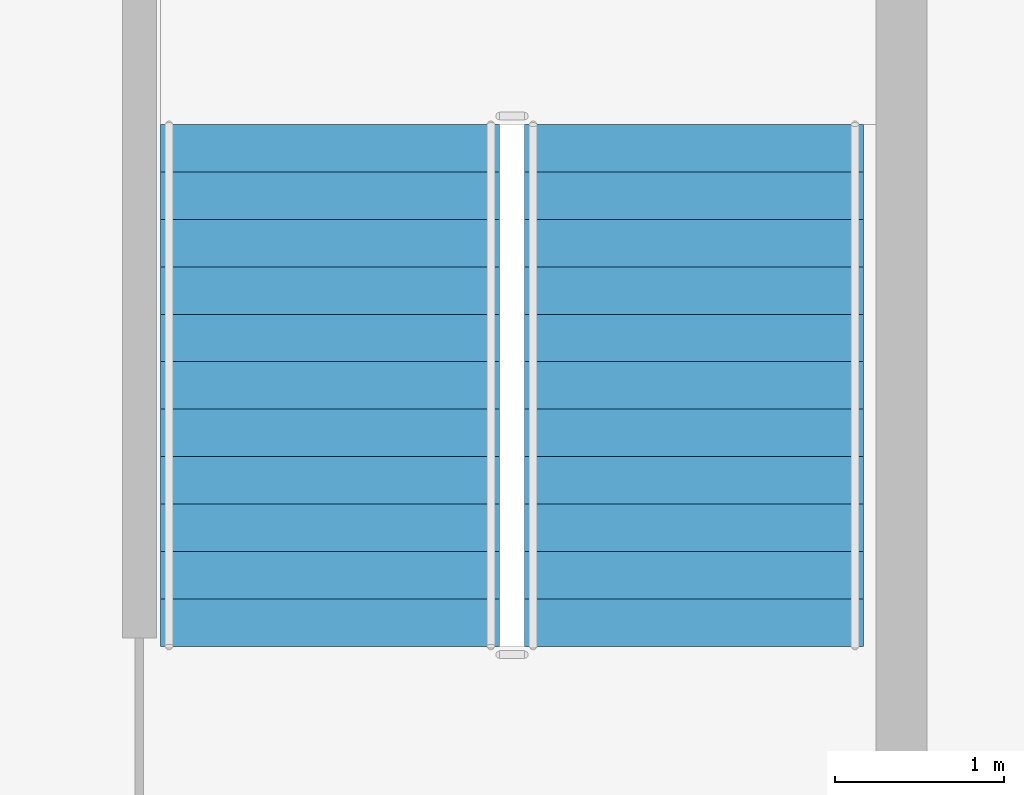
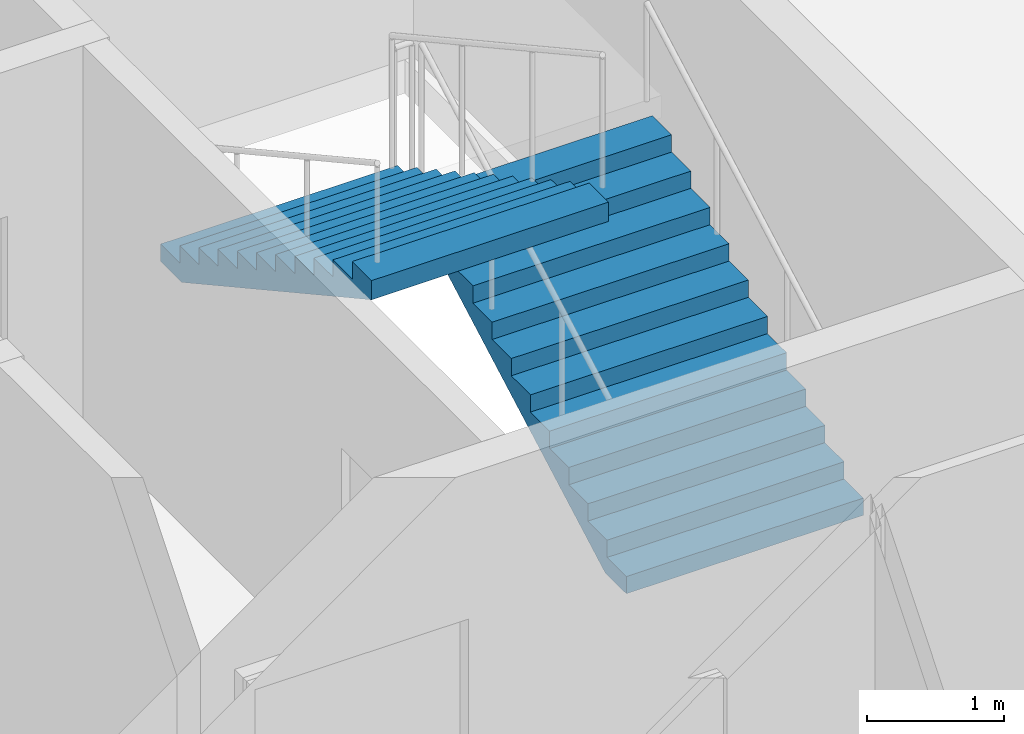
# One storey, part 8 of 13: 2 stair flights, 1 element without a shape of its own.
"""IFC4 building model written with IfcOpenShell, lengths in metres."""

from ifc_helpers import new_model, si_unit, direction, frame, origin, place, context, subcontext, project, spatial, polygons, material, type_object, element, aggregate, save


model = new_model("IFC4")

# Units and contexts
model_context = context("Model", 3, precision=1e-05, world=origin(), true_north=direction((0.0, 1.0)))
body_context = subcontext(model_context, "Body", "Model", "MODEL_VIEW")
ifc_project = project(units=[si_unit("LENGTHUNIT", "METRE"), si_unit("AREAUNIT", "SQUARE_METRE"), si_unit("VOLUMEUNIT", "CUBIC_METRE"), si_unit("PLANEANGLEUNIT", "RADIAN"), si_unit("MASSUNIT", "GRAM", prefix="KILO")], contexts=[model_context])

# Site, building, storey
site_placement = place(None, origin())
site = spatial("IfcSite", under=ifc_project, at=site_placement, CompositionType="ELEMENT")
building_placement = place(site_placement, origin())
building = spatial("IfcBuilding", under=site, at=building_placement, Name="Caravel Reach Hotel and Residences", CompositionType="ELEMENT")
storey_placement = place(building_placement, frame((0.0, 0.0, 267.5)))
storey = spatial("IfcBuildingStorey", under=building, at=storey_placement, Name="L68", CompositionType="ELEMENT", Elevation=267.5)

# Stair, stair flights
ifc_material_1 = material(Name="Concrete C40", Category="concrete")
stair_type = type_object("IfcStairType", Name="Core stair", PredefinedType="HALF_TURN_STAIR", material=ifc_material_1)
stair_placement = place(storey_placement, origin())
stair = element("IfcStair", 1, at=stair_placement, inside=storey, type_object=stair_type, Name="L68 Exit stair B", PredefinedType="HALF_TURN_STAIR")
ifc_material_2 = material(Name="Concrete C40", Category="concrete")
stair_flight_type = type_object("IfcStairFlightType", Name="Core stair flight", PredefinedType="STRAIGHT", material=ifc_material_2)
stair_flight_1_placement = place(storey_placement, frame((43.77490234375, 24.64990234375, 0.0), z_axis=(0.0, 0.0, 1.0), x_axis=(0.0, 1.0, 0.0)))
stair_flight_1 = element("IfcStairFlight", 2, at=stair_flight_1_placement, type_object=stair_flight_type, Name="ST-B flight 1", NumberOfRisers=12, NumberOfTreads=11, PredefinedType="STRAIGHT", RiserHeight=0.154166667, TreadLength=0.28, context=body_context, shape_type="Tessellation", body=[
    polygons([(0.3107950034306102, 1.0, 0.0), (0.3107950034306102, 0.6666666666666667, 0.0), (0.3107950034306102, 0.33333333333333337, 0.0), (0.3107950034306102, 0.0, 0.0), (0.3107950034306102, -0.33333333333333326, 0.0), (0.3107950034306102, -0.6666666666666667, 0.0), (0.3107950034306102, -1.0, 0.0), (3.081, 1.0, 1.524711087717319), (3.081, 0.6666666666666667, 1.524711087717319), (3.081, 0.33333333333333337, 1.524711087717319), (3.081, 0.0, 1.524711087717319), (3.081, -0.33333333333333326, 1.524711087717319), (3.081, -0.6666666666666667, 1.524711087717319), (3.081, -1.0, 1.524711087717319), (3.081, 1.0, 1.695833337), (3.081, 0.6666666666666667, 1.695833337), (3.081, 0.33333333333333337, 1.695833337), (3.081, 0.0, 1.695833337), (3.081, -0.33333333333333326, 1.695833337), (3.081, -0.6666666666666667, 1.695833337), (3.081, -1.0, 1.695833337), (2.8000000000000003, 1.0, 1.695833337), (2.8000000000000003, 0.6666666666666667, 1.695833337), (2.8000000000000003, 0.33333333333333337, 1.695833337), (2.8000000000000003, 0.0, 1.695833337), (2.8000000000000003, -0.33333333333333326, 1.695833337), (2.8000000000000003, -0.6666666666666667, 1.695833337), (2.8000000000000003, -1.0, 1.695833337), (2.8000000000000003, 1.0, 1.5416666700000001), (2.8000000000000003, 0.6666666666666667, 1.5416666700000001), (2.8000000000000003, 0.33333333333333337, 1.5416666700000001), (2.8000000000000003, 0.0, 1.5416666700000001), (2.8000000000000003, -0.33333333333333326, 1.5416666700000001), (2.8000000000000003, -0.6666666666666667, 1.5416666700000001), (2.8000000000000003, -1.0, 1.5416666700000001), (2.5200000000000005, 1.0, 1.5416666700000001), (2.5200000000000005, 0.6666666666666667, 1.5416666700000001), (2.5200000000000005, 0.33333333333333337, 1.5416666700000001), (2.5200000000000005, 0.0, 1.5416666700000001), (2.5200000000000005, -0.33333333333333326, 1.5416666700000001), (2.5200000000000005, -0.6666666666666667, 1.5416666700000001), (2.5200000000000005, -1.0, 1.5416666700000001), (2.5200000000000005, 1.0, 1.387500003), (2.5200000000000005, 0.6666666666666667, 1.387500003), (2.5200000000000005, 0.33333333333333337, 1.387500003), (2.5200000000000005, 0.0, 1.387500003), (2.5200000000000005, -0.33333333333333326, 1.387500003), (2.5200000000000005, -0.6666666666666667, 1.387500003), (2.5200000000000005, -1.0, 1.387500003), (2.24, 1.0, 1.387500003), (2.24, 0.6666666666666667, 1.387500003), (2.24, 0.33333333333333337, 1.387500003), (2.24, 0.0, 1.387500003), (2.24, -0.33333333333333326, 1.387500003), (2.24, -0.6666666666666667, 1.387500003), (2.24, -1.0, 1.387500003), (2.24, 1.0, 1.233333336), (2.24, 0.6666666666666667, 1.233333336), (2.24, 0.33333333333333337, 1.233333336), (2.24, 0.0, 1.233333336), (2.24, -0.33333333333333326, 1.233333336), (2.24, -0.6666666666666667, 1.233333336), (2.24, -1.0, 1.233333336), (1.9600000000000002, 1.0, 1.233333336), (1.9600000000000002, 0.6666666666666667, 1.233333336), (1.9600000000000002, 0.33333333333333337, 1.233333336), (1.9600000000000002, 0.0, 1.233333336), (1.9600000000000002, -0.33333333333333326, 1.233333336), (1.9600000000000002, -0.6666666666666667, 1.233333336), (1.9600000000000002, -1.0, 1.233333336), (1.9600000000000002, 1.0, 1.0791666690000001), (1.9600000000000002, 0.6666666666666667, 1.0791666690000001), (1.9600000000000002, 0.33333333333333337, 1.0791666690000001), (1.9600000000000002, 0.0, 1.0791666690000001), (1.9600000000000002, -0.33333333333333326, 1.0791666690000001), (1.9600000000000002, -0.6666666666666667, 1.0791666690000001), (1.9600000000000002, -1.0, 1.0791666690000001), (1.6800000000000002, 1.0, 1.0791666690000001), (1.6800000000000002, 0.6666666666666667, 1.0791666690000001), (1.6800000000000002, 0.33333333333333337, 1.0791666690000001), (1.6800000000000002, 0.0, 1.0791666690000001), (1.6800000000000002, -0.33333333333333326, 1.0791666690000001), (1.6800000000000002, -0.6666666666666667, 1.0791666690000001), (1.6800000000000002, -1.0, 1.0791666690000001), (1.6800000000000002, 1.0, 0.925000002), (1.6800000000000002, 0.6666666666666667, 0.925000002), (1.6800000000000002, 0.33333333333333337, 0.925000002), (1.6800000000000002, 0.0, 0.925000002), (1.6800000000000002, -0.33333333333333326, 0.925000002), (1.6800000000000002, -0.6666666666666667, 0.925000002), (1.6800000000000002, -1.0, 0.925000002), (1.4000000000000001, 1.0, 0.925000002), (1.4000000000000001, 0.6666666666666667, 0.925000002), (1.4000000000000001, 0.33333333333333337, 0.925000002), (1.4000000000000001, 0.0, 0.925000002), (1.4000000000000001, -0.33333333333333326, 0.925000002), (1.4000000000000001, -0.6666666666666667, 0.925000002), (1.4000000000000001, -1.0, 0.925000002), (1.4000000000000001, 1.0, 0.7708333350000001), (1.4000000000000001, 0.6666666666666667, 0.7708333350000001), (1.4000000000000001, 0.33333333333333337, 0.7708333350000001), (1.4000000000000001, 0.0, 0.7708333350000001), (1.4000000000000001, -0.33333333333333326, 0.7708333350000001), (1.4000000000000001, -0.6666666666666667, 0.7708333350000001), (1.4000000000000001, -1.0, 0.7708333350000001), (1.12, 1.0, 0.7708333350000001), (1.12, 0.6666666666666667, 0.7708333350000001), (1.12, 0.33333333333333337, 0.7708333350000001), (1.12, 0.0, 0.7708333350000001), (1.12, -0.33333333333333326, 0.7708333350000001), (1.12, -0.6666666666666667, 0.7708333350000001), (1.12, -1.0, 0.7708333350000001), (1.12, 1.0, 0.616666668), (1.12, 0.6666666666666667, 0.616666668), (1.12, 0.33333333333333337, 0.616666668), (1.12, 0.0, 0.616666668), (1.12, -0.33333333333333326, 0.616666668), (1.12, -0.6666666666666667, 0.616666668), (1.12, -1.0, 0.616666668), (0.8400000000000001, 1.0, 0.616666668), (0.8400000000000001, 0.6666666666666667, 0.616666668), (0.8400000000000001, 0.33333333333333337, 0.616666668), (0.8400000000000001, 0.0, 0.616666668), (0.8400000000000001, -0.33333333333333326, 0.616666668), (0.8400000000000001, -0.6666666666666667, 0.616666668), (0.8400000000000001, -1.0, 0.616666668), (0.8400000000000001, 1.0, 0.462500001), (0.8400000000000001, 0.6666666666666667, 0.462500001), (0.8400000000000001, 0.33333333333333337, 0.462500001), (0.8400000000000001, 0.0, 0.462500001), (0.8400000000000001, -0.33333333333333326, 0.462500001), (0.8400000000000001, -0.6666666666666667, 0.462500001), (0.8400000000000001, -1.0, 0.462500001), (0.56, 1.0, 0.462500001), (0.56, 0.6666666666666667, 0.462500001), (0.56, 0.33333333333333337, 0.462500001), (0.56, 0.0, 0.462500001), (0.56, -0.33333333333333326, 0.462500001), (0.56, -0.6666666666666667, 0.462500001), (0.56, -1.0, 0.462500001), (0.56, 1.0, 0.308333334), (0.56, 0.6666666666666667, 0.308333334), (0.56, 0.33333333333333337, 0.308333334), (0.56, 0.0, 0.308333334), (0.56, -0.33333333333333326, 0.308333334), (0.56, -0.6666666666666667, 0.308333334), (0.56, -1.0, 0.308333334), (0.28, 1.0, 0.308333334), (0.28, 0.6666666666666667, 0.308333334), (0.28, 0.33333333333333337, 0.308333334), (0.28, 0.0, 0.308333334), (0.28, -0.33333333333333326, 0.308333334), (0.28, -0.6666666666666667, 0.308333334), (0.28, -1.0, 0.308333334), (0.28, 1.0, 0.154166667), (0.28, 0.6666666666666667, 0.154166667), (0.28, 0.33333333333333337, 0.154166667), (0.28, 0.0, 0.154166667), (0.28, -0.33333333333333326, 0.154166667), (0.28, -0.6666666666666667, 0.154166667), (0.28, -1.0, 0.154166667), (-0.001, 1.0, 0.154166667), (-0.001, 0.6666666666666667, 0.154166667), (-0.001, 0.33333333333333337, 0.154166667), (-0.001, 0.0, 0.154166667), (-0.001, -0.33333333333333326, 0.154166667), (-0.001, -0.6666666666666667, 0.154166667), (-0.001, -1.0, 0.154166667), (-0.001, 1.0, 0.0), (-0.001, 0.6666666666666667, 0.0), (-0.001, 0.33333333333333337, 0.0), (-0.001, 0.0, 0.0), (-0.001, -0.33333333333333326, 0.0), (-0.001, -0.6666666666666667, 0.0), (-0.001, -1.0, 0.0)], [[[169, 162, 155, 148, 141, 134, 127, 120, 113, 106, 99, 92, 85, 78, 71, 64, 57, 50, 43, 36, 29, 22, 15, 8, 1]], [[7, 14, 21, 28, 35, 42, 49, 56, 63, 70, 77, 84, 91, 98, 105, 112, 119, 126, 133, 140, 147, 154, 161, 168, 175]], [[1, 8, 9, 2]], [[2, 9, 10, 3]], [[3, 10, 11, 4]], [[4, 11, 12, 5]], [[5, 12, 13, 6]], [[6, 13, 14, 7]], [[8, 15, 16, 9]], [[9, 16, 17, 10]], [[10, 17, 18, 11]], [[11, 18, 19, 12]], [[12, 19, 20, 13]], [[13, 20, 21, 14]], [[15, 22, 23, 16]], [[16, 23, 24, 17]], [[17, 24, 25, 18]], [[18, 25, 26, 19]], [[19, 26, 27, 20]], [[20, 27, 28, 21]], [[22, 29, 30, 23]], [[23, 30, 31, 24]], [[24, 31, 32, 25]], [[25, 32, 33, 26]], [[26, 33, 34, 27]], [[27, 34, 35, 28]], [[29, 36, 37, 30]], [[30, 37, 38, 31]], [[31, 38, 39, 32]], [[32, 39, 40, 33]], [[33, 40, 41, 34]], [[34, 41, 42, 35]], [[36, 43, 44, 37]], [[37, 44, 45, 38]], [[38, 45, 46, 39]], [[39, 46, 47, 40]], [[40, 47, 48, 41]], [[41, 48, 49, 42]], [[43, 50, 51, 44]], [[44, 51, 52, 45]], [[45, 52, 53, 46]], [[46, 53, 54, 47]], [[47, 54, 55, 48]], [[48, 55, 56, 49]], [[50, 57, 58, 51]], [[51, 58, 59, 52]], [[52, 59, 60, 53]], [[53, 60, 61, 54]], [[54, 61, 62, 55]], [[55, 62, 63, 56]], [[57, 64, 65, 58]], [[58, 65, 66, 59]], [[59, 66, 67, 60]], [[60, 67, 68, 61]], [[61, 68, 69, 62]], [[62, 69, 70, 63]], [[64, 71, 72, 65]], [[65, 72, 73, 66]], [[66, 73, 74, 67]], [[67, 74, 75, 68]], [[68, 75, 76, 69]], [[69, 76, 77, 70]], [[71, 78, 79, 72]], [[72, 79, 80, 73]], [[73, 80, 81, 74]], [[74, 81, 82, 75]], [[75, 82, 83, 76]], [[76, 83, 84, 77]], [[78, 85, 86, 79]], [[79, 86, 87, 80]], [[80, 87, 88, 81]], [[81, 88, 89, 82]], [[82, 89, 90, 83]], [[83, 90, 91, 84]], [[85, 92, 93, 86]], [[86, 93, 94, 87]], [[87, 94, 95, 88]], [[88, 95, 96, 89]], [[89, 96, 97, 90]], [[90, 97, 98, 91]], [[92, 99, 100, 93]], [[93, 100, 101, 94]], [[94, 101, 102, 95]], [[95, 102, 103, 96]], [[96, 103, 104, 97]], [[97, 104, 105, 98]], [[99, 106, 107, 100]], [[100, 107, 108, 101]], [[101, 108, 109, 102]], [[102, 109, 110, 103]], [[103, 110, 111, 104]], [[104, 111, 112, 105]], [[106, 113, 114, 107]], [[107, 114, 115, 108]], [[108, 115, 116, 109]], [[109, 116, 117, 110]], [[110, 117, 118, 111]], [[111, 118, 119, 112]], [[113, 120, 121, 114]], [[114, 121, 122, 115]], [[115, 122, 123, 116]], [[116, 123, 124, 117]], [[117, 124, 125, 118]], [[118, 125, 126, 119]], [[120, 127, 128, 121]], [[121, 128, 129, 122]], [[122, 129, 130, 123]], [[123, 130, 131, 124]], [[124, 131, 132, 125]], [[125, 132, 133, 126]], [[127, 134, 135, 128]], [[128, 135, 136, 129]], [[129, 136, 137, 130]], [[130, 137, 138, 131]], [[131, 138, 139, 132]], [[132, 139, 140, 133]], [[134, 141, 142, 135]], [[135, 142, 143, 136]], [[136, 143, 144, 137]], [[137, 144, 145, 138]], [[138, 145, 146, 139]], [[139, 146, 147, 140]], [[141, 148, 149, 142]], [[142, 149, 150, 143]], [[143, 150, 151, 144]], [[144, 151, 152, 145]], [[145, 152, 153, 146]], [[146, 153, 154, 147]], [[148, 155, 156, 149]], [[149, 156, 157, 150]], [[150, 157, 158, 151]], [[151, 158, 159, 152]], [[152, 159, 160, 153]], [[153, 160, 161, 154]], [[155, 162, 163, 156]], [[156, 163, 164, 157]], [[157, 164, 165, 158]], [[158, 165, 166, 159]], [[159, 166, 167, 160]], [[160, 167, 168, 161]], [[162, 169, 170, 163]], [[163, 170, 171, 164]], [[164, 171, 172, 165]], [[165, 172, 173, 166]], [[166, 173, 174, 167]], [[167, 174, 175, 168]], [[169, 1, 2, 170]], [[170, 2, 3, 171]], [[171, 3, 4, 172]], [[172, 4, 5, 173]], [[173, 5, 6, 174]], [[174, 6, 7, 175]]], closed=True),
])
stair_flight_2_placement = place(storey_placement, frame((41.625, 27.72998046875, 1.85009765625), z_axis=(0.0, 0.0, 1.0), x_axis=(0.0, -1.0, 0.0)))
stair_flight_2 = element("IfcStairFlight", 3, at=stair_flight_2_placement, type_object=stair_flight_type, Name="ST-B flight 2", NumberOfRisers=12, NumberOfTreads=11, PredefinedType="STRAIGHT", RiserHeight=0.154166667, TreadLength=0.28, context=body_context, shape_type="Tessellation", body=[
    polygons([(0.3107950034306102, 1.0, 0.0), (0.3107950034306102, 0.6666666666666667, 0.0), (0.3107950034306102, 0.33333333333333337, 0.0), (0.3107950034306102, 0.0, 0.0), (0.3107950034306102, -0.33333333333333326, 0.0), (0.3107950034306102, -0.6666666666666667, 0.0), (0.3107950034306102, -1.0, 0.0), (3.081, 1.0, 1.524711087717319), (3.081, 0.6666666666666667, 1.524711087717319), (3.081, 0.33333333333333337, 1.524711087717319), (3.081, 0.0, 1.524711087717319), (3.081, -0.33333333333333326, 1.524711087717319), (3.081, -0.6666666666666667, 1.524711087717319), (3.081, -1.0, 1.524711087717319), (3.081, 1.0, 1.695833337), (3.081, 0.6666666666666667, 1.695833337), (3.081, 0.33333333333333337, 1.695833337), (3.081, 0.0, 1.695833337), (3.081, -0.33333333333333326, 1.695833337), (3.081, -0.6666666666666667, 1.695833337), (3.081, -1.0, 1.695833337), (2.8000000000000003, 1.0, 1.695833337), (2.8000000000000003, 0.6666666666666667, 1.695833337), (2.8000000000000003, 0.33333333333333337, 1.695833337), (2.8000000000000003, 0.0, 1.695833337), (2.8000000000000003, -0.33333333333333326, 1.695833337), (2.8000000000000003, -0.6666666666666667, 1.695833337), (2.8000000000000003, -1.0, 1.695833337), (2.8000000000000003, 1.0, 1.5416666700000001), (2.8000000000000003, 0.6666666666666667, 1.5416666700000001), (2.8000000000000003, 0.33333333333333337, 1.5416666700000001), (2.8000000000000003, 0.0, 1.5416666700000001), (2.8000000000000003, -0.33333333333333326, 1.5416666700000001), (2.8000000000000003, -0.6666666666666667, 1.5416666700000001), (2.8000000000000003, -1.0, 1.5416666700000001), (2.5200000000000005, 1.0, 1.5416666700000001), (2.5200000000000005, 0.6666666666666667, 1.5416666700000001), (2.5200000000000005, 0.33333333333333337, 1.5416666700000001), (2.5200000000000005, 0.0, 1.5416666700000001), (2.5200000000000005, -0.33333333333333326, 1.5416666700000001), (2.5200000000000005, -0.6666666666666667, 1.5416666700000001), (2.5200000000000005, -1.0, 1.5416666700000001), (2.5200000000000005, 1.0, 1.387500003), (2.5200000000000005, 0.6666666666666667, 1.387500003), (2.5200000000000005, 0.33333333333333337, 1.387500003), (2.5200000000000005, 0.0, 1.387500003), (2.5200000000000005, -0.33333333333333326, 1.387500003), (2.5200000000000005, -0.6666666666666667, 1.387500003), (2.5200000000000005, -1.0, 1.387500003), (2.24, 1.0, 1.387500003), (2.24, 0.6666666666666667, 1.387500003), (2.24, 0.33333333333333337, 1.387500003), (2.24, 0.0, 1.387500003), (2.24, -0.33333333333333326, 1.387500003), (2.24, -0.6666666666666667, 1.387500003), (2.24, -1.0, 1.387500003), (2.24, 1.0, 1.233333336), (2.24, 0.6666666666666667, 1.233333336), (2.24, 0.33333333333333337, 1.233333336), (2.24, 0.0, 1.233333336), (2.24, -0.33333333333333326, 1.233333336), (2.24, -0.6666666666666667, 1.233333336), (2.24, -1.0, 1.233333336), (1.9600000000000002, 1.0, 1.233333336), (1.9600000000000002, 0.6666666666666667, 1.233333336), (1.9600000000000002, 0.33333333333333337, 1.233333336), (1.9600000000000002, 0.0, 1.233333336), (1.9600000000000002, -0.33333333333333326, 1.233333336), (1.9600000000000002, -0.6666666666666667, 1.233333336), (1.9600000000000002, -1.0, 1.233333336), (1.9600000000000002, 1.0, 1.0791666690000001), (1.9600000000000002, 0.6666666666666667, 1.0791666690000001), (1.9600000000000002, 0.33333333333333337, 1.0791666690000001), (1.9600000000000002, 0.0, 1.0791666690000001), (1.9600000000000002, -0.33333333333333326, 1.0791666690000001), (1.9600000000000002, -0.6666666666666667, 1.0791666690000001), (1.9600000000000002, -1.0, 1.0791666690000001), (1.6800000000000002, 1.0, 1.0791666690000001), (1.6800000000000002, 0.6666666666666667, 1.0791666690000001), (1.6800000000000002, 0.33333333333333337, 1.0791666690000001), (1.6800000000000002, 0.0, 1.0791666690000001), (1.6800000000000002, -0.33333333333333326, 1.0791666690000001), (1.6800000000000002, -0.6666666666666667, 1.0791666690000001), (1.6800000000000002, -1.0, 1.0791666690000001), (1.6800000000000002, 1.0, 0.925000002), (1.6800000000000002, 0.6666666666666667, 0.925000002), (1.6800000000000002, 0.33333333333333337, 0.925000002), (1.6800000000000002, 0.0, 0.925000002), (1.6800000000000002, -0.33333333333333326, 0.925000002), (1.6800000000000002, -0.6666666666666667, 0.925000002), (1.6800000000000002, -1.0, 0.925000002), (1.4000000000000001, 1.0, 0.925000002), (1.4000000000000001, 0.6666666666666667, 0.925000002), (1.4000000000000001, 0.33333333333333337, 0.925000002), (1.4000000000000001, 0.0, 0.925000002), (1.4000000000000001, -0.33333333333333326, 0.925000002), (1.4000000000000001, -0.6666666666666667, 0.925000002), (1.4000000000000001, -1.0, 0.925000002), (1.4000000000000001, 1.0, 0.7708333350000001), (1.4000000000000001, 0.6666666666666667, 0.7708333350000001), (1.4000000000000001, 0.33333333333333337, 0.7708333350000001), (1.4000000000000001, 0.0, 0.7708333350000001), (1.4000000000000001, -0.33333333333333326, 0.7708333350000001), (1.4000000000000001, -0.6666666666666667, 0.7708333350000001), (1.4000000000000001, -1.0, 0.7708333350000001), (1.12, 1.0, 0.7708333350000001), (1.12, 0.6666666666666667, 0.7708333350000001), (1.12, 0.33333333333333337, 0.7708333350000001), (1.12, 0.0, 0.7708333350000001), (1.12, -0.33333333333333326, 0.7708333350000001), (1.12, -0.6666666666666667, 0.7708333350000001), (1.12, -1.0, 0.7708333350000001), (1.12, 1.0, 0.616666668), (1.12, 0.6666666666666667, 0.616666668), (1.12, 0.33333333333333337, 0.616666668), (1.12, 0.0, 0.616666668), (1.12, -0.33333333333333326, 0.616666668), (1.12, -0.6666666666666667, 0.616666668), (1.12, -1.0, 0.616666668), (0.8400000000000001, 1.0, 0.616666668), (0.8400000000000001, 0.6666666666666667, 0.616666668), (0.8400000000000001, 0.33333333333333337, 0.616666668), (0.8400000000000001, 0.0, 0.616666668), (0.8400000000000001, -0.33333333333333326, 0.616666668), (0.8400000000000001, -0.6666666666666667, 0.616666668), (0.8400000000000001, -1.0, 0.616666668), (0.8400000000000001, 1.0, 0.462500001), (0.8400000000000001, 0.6666666666666667, 0.462500001), (0.8400000000000001, 0.33333333333333337, 0.462500001), (0.8400000000000001, 0.0, 0.462500001), (0.8400000000000001, -0.33333333333333326, 0.462500001), (0.8400000000000001, -0.6666666666666667, 0.462500001), (0.8400000000000001, -1.0, 0.462500001), (0.56, 1.0, 0.462500001), (0.56, 0.6666666666666667, 0.462500001), (0.56, 0.33333333333333337, 0.462500001), (0.56, 0.0, 0.462500001), (0.56, -0.33333333333333326, 0.462500001), (0.56, -0.6666666666666667, 0.462500001), (0.56, -1.0, 0.462500001), (0.56, 1.0, 0.308333334), (0.56, 0.6666666666666667, 0.308333334), (0.56, 0.33333333333333337, 0.308333334), (0.56, 0.0, 0.308333334), (0.56, -0.33333333333333326, 0.308333334), (0.56, -0.6666666666666667, 0.308333334), (0.56, -1.0, 0.308333334), (0.28, 1.0, 0.308333334), (0.28, 0.6666666666666667, 0.308333334), (0.28, 0.33333333333333337, 0.308333334), (0.28, 0.0, 0.308333334), (0.28, -0.33333333333333326, 0.308333334), (0.28, -0.6666666666666667, 0.308333334), (0.28, -1.0, 0.308333334), (0.28, 1.0, 0.154166667), (0.28, 0.6666666666666667, 0.154166667), (0.28, 0.33333333333333337, 0.154166667), (0.28, 0.0, 0.154166667), (0.28, -0.33333333333333326, 0.154166667), (0.28, -0.6666666666666667, 0.154166667), (0.28, -1.0, 0.154166667), (-0.001, 1.0, 0.154166667), (-0.001, 0.6666666666666667, 0.154166667), (-0.001, 0.33333333333333337, 0.154166667), (-0.001, 0.0, 0.154166667), (-0.001, -0.33333333333333326, 0.154166667), (-0.001, -0.6666666666666667, 0.154166667), (-0.001, -1.0, 0.154166667), (-0.001, 1.0, 0.0), (-0.001, 0.6666666666666667, 0.0), (-0.001, 0.33333333333333337, 0.0), (-0.001, 0.0, 0.0), (-0.001, -0.33333333333333326, 0.0), (-0.001, -0.6666666666666667, 0.0), (-0.001, -1.0, 0.0)], [[[169, 162, 155, 148, 141, 134, 127, 120, 113, 106, 99, 92, 85, 78, 71, 64, 57, 50, 43, 36, 29, 22, 15, 8, 1]], [[7, 14, 21, 28, 35, 42, 49, 56, 63, 70, 77, 84, 91, 98, 105, 112, 119, 126, 133, 140, 147, 154, 161, 168, 175]], [[1, 8, 9, 2]], [[2, 9, 10, 3]], [[3, 10, 11, 4]], [[4, 11, 12, 5]], [[5, 12, 13, 6]], [[6, 13, 14, 7]], [[8, 15, 16, 9]], [[9, 16, 17, 10]], [[10, 17, 18, 11]], [[11, 18, 19, 12]], [[12, 19, 20, 13]], [[13, 20, 21, 14]], [[15, 22, 23, 16]], [[16, 23, 24, 17]], [[17, 24, 25, 18]], [[18, 25, 26, 19]], [[19, 26, 27, 20]], [[20, 27, 28, 21]], [[22, 29, 30, 23]], [[23, 30, 31, 24]], [[24, 31, 32, 25]], [[25, 32, 33, 26]], [[26, 33, 34, 27]], [[27, 34, 35, 28]], [[29, 36, 37, 30]], [[30, 37, 38, 31]], [[31, 38, 39, 32]], [[32, 39, 40, 33]], [[33, 40, 41, 34]], [[34, 41, 42, 35]], [[36, 43, 44, 37]], [[37, 44, 45, 38]], [[38, 45, 46, 39]], [[39, 46, 47, 40]], [[40, 47, 48, 41]], [[41, 48, 49, 42]], [[43, 50, 51, 44]], [[44, 51, 52, 45]], [[45, 52, 53, 46]], [[46, 53, 54, 47]], [[47, 54, 55, 48]], [[48, 55, 56, 49]], [[50, 57, 58, 51]], [[51, 58, 59, 52]], [[52, 59, 60, 53]], [[53, 60, 61, 54]], [[54, 61, 62, 55]], [[55, 62, 63, 56]], [[57, 64, 65, 58]], [[58, 65, 66, 59]], [[59, 66, 67, 60]], [[60, 67, 68, 61]], [[61, 68, 69, 62]], [[62, 69, 70, 63]], [[64, 71, 72, 65]], [[65, 72, 73, 66]], [[66, 73, 74, 67]], [[67, 74, 75, 68]], [[68, 75, 76, 69]], [[69, 76, 77, 70]], [[71, 78, 79, 72]], [[72, 79, 80, 73]], [[73, 80, 81, 74]], [[74, 81, 82, 75]], [[75, 82, 83, 76]], [[76, 83, 84, 77]], [[78, 85, 86, 79]], [[79, 86, 87, 80]], [[80, 87, 88, 81]], [[81, 88, 89, 82]], [[82, 89, 90, 83]], [[83, 90, 91, 84]], [[85, 92, 93, 86]], [[86, 93, 94, 87]], [[87, 94, 95, 88]], [[88, 95, 96, 89]], [[89, 96, 97, 90]], [[90, 97, 98, 91]], [[92, 99, 100, 93]], [[93, 100, 101, 94]], [[94, 101, 102, 95]], [[95, 102, 103, 96]], [[96, 103, 104, 97]], [[97, 104, 105, 98]], [[99, 106, 107, 100]], [[100, 107, 108, 101]], [[101, 108, 109, 102]], [[102, 109, 110, 103]], [[103, 110, 111, 104]], [[104, 111, 112, 105]], [[106, 113, 114, 107]], [[107, 114, 115, 108]], [[108, 115, 116, 109]], [[109, 116, 117, 110]], [[110, 117, 118, 111]], [[111, 118, 119, 112]], [[113, 120, 121, 114]], [[114, 121, 122, 115]], [[115, 122, 123, 116]], [[116, 123, 124, 117]], [[117, 124, 125, 118]], [[118, 125, 126, 119]], [[120, 127, 128, 121]], [[121, 128, 129, 122]], [[122, 129, 130, 123]], [[123, 130, 131, 124]], [[124, 131, 132, 125]], [[125, 132, 133, 126]], [[127, 134, 135, 128]], [[128, 135, 136, 129]], [[129, 136, 137, 130]], [[130, 137, 138, 131]], [[131, 138, 139, 132]], [[132, 139, 140, 133]], [[134, 141, 142, 135]], [[135, 142, 143, 136]], [[136, 143, 144, 137]], [[137, 144, 145, 138]], [[138, 145, 146, 139]], [[139, 146, 147, 140]], [[141, 148, 149, 142]], [[142, 149, 150, 143]], [[143, 150, 151, 144]], [[144, 151, 152, 145]], [[145, 152, 153, 146]], [[146, 153, 154, 147]], [[148, 155, 156, 149]], [[149, 156, 157, 150]], [[150, 157, 158, 151]], [[151, 158, 159, 152]], [[152, 159, 160, 153]], [[153, 160, 161, 154]], [[155, 162, 163, 156]], [[156, 163, 164, 157]], [[157, 164, 165, 158]], [[158, 165, 166, 159]], [[159, 166, 167, 160]], [[160, 167, 168, 161]], [[162, 169, 170, 163]], [[163, 170, 171, 164]], [[164, 171, 172, 165]], [[165, 172, 173, 166]], [[166, 173, 174, 167]], [[167, 174, 175, 168]], [[169, 1, 2, 170]], [[170, 2, 3, 171]], [[171, 3, 4, 172]], [[172, 4, 5, 173]], [[173, 5, 6, 174]], [[174, 6, 7, 175]]], closed=True),
])
aggregate(stair, [stair_flight_1, stair_flight_2])

save(model, "model.ifc")
